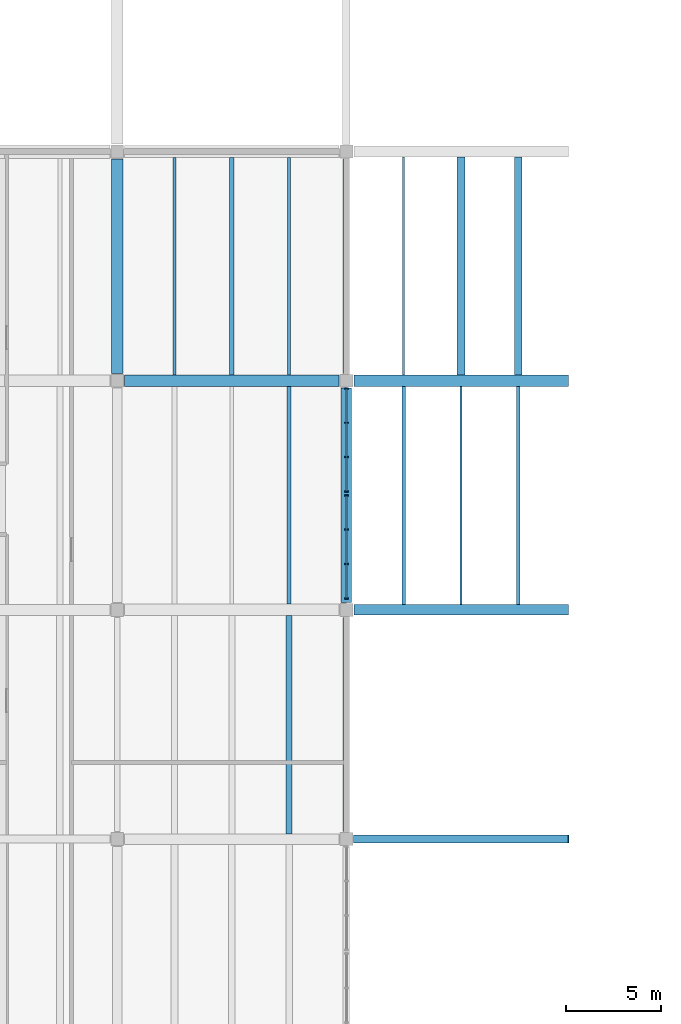
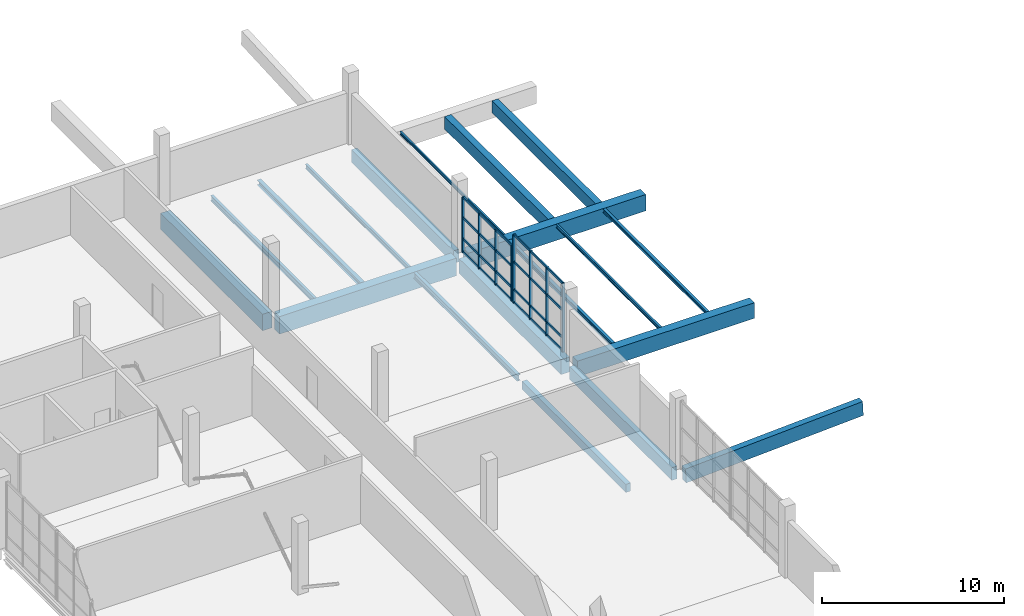
# One storey, part 15 of 49: 19 beams, 16 members, 2 elements without a shape of their own.
"""IFC4 building model written with IfcOpenShell, lengths in metres."""

from ifc_helpers import new_model, si_unit, direction, frame, origin, origin_2d, place, context, subcontext, project, spatial, rectangle, i_section, extrude, material, material_profile, profile_set, type_object, element, aggregate, save


model = new_model("IFC4")

# Units and contexts
model_context = context("Model", 3, precision=1e-05, world=origin(), true_north=direction((0.0, 1.0)))
body_context = subcontext(model_context, "Body", "Model", "MODEL_VIEW")
ifc_project = project(units=[si_unit("LENGTHUNIT", "METRE"), si_unit("AREAUNIT", "SQUARE_METRE"), si_unit("VOLUMEUNIT", "CUBIC_METRE"), si_unit("PLANEANGLEUNIT", "RADIAN"), si_unit("MASSUNIT", "GRAM", prefix="KILO")], contexts=[model_context])

# Site, building, storey
site_placement = place(None, origin())
site = spatial("IfcSite", under=ifc_project, at=site_placement, CompositionType="ELEMENT")
building_placement = place(site_placement, origin())
building = spatial("IfcBuilding", under=site, at=building_placement, Name="Kamomehara Wholesale Market", CompositionType="ELEMENT")
storey_placement = place(building_placement, frame((0.0, 0.0, 11.39990234375)))
storey = spatial("IfcBuildingStorey", under=building, at=storey_placement, Name="L02", CompositionType="ELEMENT", Elevation=11.39990234375)

# Beams
ifc_material_1 = material(Name="Precast concrete Fc45 (C40/50)", Category="concrete")
ifc_material_profile_1 = material_profile(ifc_material_1, rectangle(XDim=0.550048828125, YDim=1.050048828125, at=origin_2d()), Name="PC-GRD-550x1050")
ifc_profile_set_1 = profile_set([ifc_material_profile_1], Name="Precast concrete Fc45 (C40/50)")
beam_type_1 = type_object("IfcBeamType", Name="BM-PG1050", PredefinedType="T_BEAM", material=ifc_profile_set_1)
beam_1_placement = place(storey_placement, frame((36.389892578125, 120.0, -0.784912109375), z_axis=(1.0, 0.0, 0.0), x_axis=(0.0, 1.0, 0.0)))
element("IfcBeam", 1, at=beam_1_placement, inside=storey, type_object=beam_type_1, Name="Beam PG-08 L02", PredefinedType="T_BEAM", context=body_context, shape_type="SweptSolid", body=[
    extrude(rectangle(XDim=0.550048828125, YDim=1.050048828125, at=origin_2d()), origin(), (0.0, 0.0, 1.0), 11.25),
])
ifc_material_2 = material(Name="Precast concrete Fc45 (C40/50)", Category="concrete")
ifc_material_profile_2 = material_profile(ifc_material_2, rectangle(XDim=0.60009765625, YDim=1.10009765625, at=origin_2d()), Name="PC-GRD-600x1100")
ifc_profile_set_2 = profile_set([ifc_material_profile_2], Name="Precast concrete Fc45 (C40/50)")
beam_type_2 = type_object("IfcBeamType", Name="BM-PG1100", PredefinedType="T_BEAM", material=ifc_profile_set_2)
beam_2_placement = place(storey_placement, frame((24.0, 132.389892578125, -0.90185546875), z_axis=(0.0, 1.0, 0.0), x_axis=(-1.0, 0.0, 0.0)))
element("IfcBeam", 2, at=beam_2_placement, inside=storey, type_object=beam_type_2, Name="Beam PG-07 L02", PredefinedType="T_BEAM", context=body_context, shape_type="SweptSolid", body=[
    extrude(rectangle(XDim=0.60009765625, YDim=1.10009765625, at=origin_2d()), origin(), (0.0, 0.0, 1.0), 11.22021484375),
])
beam_3_placement = place(storey_placement, frame((36.389892578125, 132.0, -0.809814453125), z_axis=(1.0, 0.0, 0.0), x_axis=(0.0, 1.0, 0.0)))
element("IfcBeam", 3, at=beam_3_placement, inside=storey, type_object=beam_type_2, Name="Beam PG-07 L02", PredefinedType="T_BEAM", context=body_context, shape_type="SweptSolid", body=[
    extrude(rectangle(XDim=0.60009765625, YDim=1.10009765625, at=origin_2d()), origin(), (0.0, 0.0, 1.0), 11.25),
])
ifc_material_3 = material(Name="Precast concrete Fc45 (C40/50)", Category="concrete")
ifc_material_profile_3 = material_profile(ifc_material_3, rectangle(XDim=0.580078125, YDim=1.179931640625, at=origin_2d()), Name="PC-GRD-580x1180")
ifc_profile_set_3 = profile_set([ifc_material_profile_3], Name="Precast concrete Fc45 (C40/50)")
beam_type_3 = type_object("IfcBeamType", Name="BM-PG1180", PredefinedType="T_BEAM", material=ifc_profile_set_3)
beam_4_placement = place(storey_placement, frame((24.389892578125, 132.0, -0.921875), z_axis=(1.0, 0.0, 0.0), x_axis=(0.0, 1.0, 0.0)))
element("IfcBeam", 4, at=beam_4_placement, inside=storey, type_object=beam_type_3, Name="Beam PG-14 L02", PredefinedType="T_BEAM", context=body_context, shape_type="SweptSolid", body=[
    extrude(rectangle(XDim=0.580078125, YDim=1.179931640625, at=origin_2d()), origin(), (0.0, 0.0, 1.0), 11.22021484375),
])
ifc_material_4 = material(Name="Precast concrete Fc45 (C40/50)", Category="concrete")
ifc_material_profile_4 = material_profile(ifc_material_4, rectangle(XDim=0.300048828125, YDim=0.550048828125, at=origin_2d()), Name="PC-JST-300x550")
ifc_profile_set_4 = profile_set([ifc_material_profile_4], Name="Precast concrete Fc45 (C40/50)")
beam_type_4 = type_object("IfcBeamType", Name="BM-PJ550", PredefinedType="JOIST", material=ifc_profile_set_4)
beam_5_placement = place(storey_placement, frame((33.0, 108.27490234375, -0.616943359375), z_axis=(0.0, 1.0, 0.0), x_axis=(-1.0, 0.0, 0.0)))
element("IfcBeam", 5, at=beam_5_placement, inside=storey, type_object=beam_type_4, Name="Beam PJ-06 L02", PredefinedType="JOIST", context=body_context, shape_type="SweptSolid", body=[
    extrude(rectangle(XDim=0.300048828125, YDim=0.550048828125, at=origin_2d()), origin(), (0.0, 0.0, 1.0), 11.425048828125),
])
ifc_material_5 = material(Name="Precast concrete Fc45 (C40/50)", Category="concrete")
ifc_material_profile_5 = material_profile(ifc_material_5, rectangle(XDim=0.39990234375, YDim=0.800048828125, at=origin_2d()), Name="PC-JST-400x800")
ifc_profile_set_5 = profile_set([ifc_material_profile_5], Name="Precast concrete Fc45 (C40/50)")
beam_type_5 = type_object("IfcBeamType", Name="BM-PJ800", PredefinedType="JOIST", material=ifc_profile_set_5)
beam_6_placement = place(storey_placement, frame((45.0, 132.300048828125, -0.659912109375), z_axis=(0.0, 1.0, 0.0), x_axis=(-1.0, 0.0, 0.0)))
element("IfcBeam", 6, at=beam_6_placement, inside=storey, type_object=beam_type_5, Name="Beam PJ-01 L02", PredefinedType="JOIST", context=body_context, shape_type="SweptSolid", body=[
    extrude(rectangle(XDim=0.39990234375, YDim=0.800048828125, at=origin_2d()), origin(), (0.0, 0.0, 1.0), 11.409912109375),
])
ifc_material_6 = material(Name="Precast concrete Fc45 (C40/50)", Category="concrete")
ifc_material_profile_6 = material_profile(ifc_material_6, rectangle(XDim=0.419921875, YDim=0.840087890625, at=origin_2d()), Name="PC-JST-420x840")
ifc_profile_set_6 = profile_set([ifc_material_profile_6], Name="Precast concrete Fc45 (C40/50)")
beam_type_6 = type_object("IfcBeamType", Name="BM-PJ840", PredefinedType="JOIST", material=ifc_profile_set_6)
beam_7_placement = place(storey_placement, frame((42.0, 132.300048828125, -0.679931640625), z_axis=(0.0, 1.0, 0.0), x_axis=(-1.0, 0.0, 0.0)))
element("IfcBeam", 7, at=beam_7_placement, inside=storey, type_object=beam_type_6, Name="Beam PJ-07 L02", PredefinedType="JOIST", context=body_context, shape_type="SweptSolid", body=[
    extrude(rectangle(XDim=0.419921875, YDim=0.840087890625, at=origin_2d()), origin(), (0.0, 0.0, 1.0), 11.409912109375),
])
ifc_material_7 = material(Name="Concrete Fc36 (C35/45)", Category="concrete")
ifc_material_profile_7 = material_profile(ifc_material_7, rectangle(XDim=0.550048828125, YDim=1.0, at=origin_2d()), Name="RC-SEB-550x1000")
ifc_profile_set_7 = profile_set([ifc_material_profile_7], Name="Concrete Fc36 (C35/45)")
beam_type_7 = type_object("IfcBeamType", Name="BM-SEB1000-EXT", PredefinedType="SPANDREL", material=ifc_profile_set_7)
beam_8_placement = place(storey_placement, frame((36.0, 120.389892578125, -0.831787109375), z_axis=(0.0, 1.0, 0.0), x_axis=(-1.0, 0.0, 0.0)))
element("IfcBeam", 8, at=beam_8_placement, inside=storey, type_object=beam_type_7, Name="Beam SEB-03E L02", PredefinedType="SPANDREL", context=body_context, shape_type="SweptSolid", body=[
    extrude(rectangle(XDim=0.550048828125, YDim=1.0, at=origin_2d()), origin(), (0.0, 0.0, 1.0), 11.22021484375),
])
ifc_material_8 = material(Name="Precast concrete Fc45 (C40/50)", Category="concrete")
ifc_material_profile_8 = material_profile(ifc_material_8, rectangle(XDim=0.35009765625, YDim=0.85009765625, at=origin_2d()), Name="PC-SPN-350x850")
ifc_profile_set_8 = profile_set([ifc_material_profile_8], Name="Precast concrete Fc45 (C40/50)")
beam_type_8 = type_object("IfcBeamType", Name="BM-SPN850-EXT", PredefinedType="SPANDREL", material=ifc_profile_set_8)
for number, where, z_axis, x_axis, name in (
    (9, (36.0, 108.389892578125, -0.766845703125), (0.0, 1.0, 0.0), (-1.0, 0.0, 0.0), "Beam SPN-02E L02"),
    (10, (36.0, 132.389892578125, -0.7568359375), (0.0, 1.0, 0.0), (-1.0, 0.0, 0.0), "Beam SPN-02E L02"),
):
    element("IfcBeam", number, at=place(storey_placement, frame(where, z_axis=z_axis, x_axis=x_axis)), inside=storey, type_object=beam_type_8, Name=name, PredefinedType="SPANDREL", context=body_context, shape_type="SweptSolid", body=[
        extrude(rectangle(XDim=0.35009765625, YDim=0.85009765625, at=origin_2d()), origin(), (0.0, 0.0, 1.0), 11.22021484375),
    ])
ifc_material_9 = material(Name="Precast concrete Fc45 (C40/50)", Category="concrete")
ifc_material_profile_9 = material_profile(ifc_material_9, rectangle(XDim=0.39990234375, YDim=0.949951171875, at=origin_2d()), Name="PC-SPN-400x950")
ifc_profile_set_9 = profile_set([ifc_material_profile_9], Name="Precast concrete Fc45 (C40/50)")
beam_type_9 = type_object("IfcBeamType", Name="BM-SPN950-EXT", PredefinedType="SPANDREL", material=ifc_profile_set_9)
beam_9_placement = place(storey_placement, frame((36.389892578125, 108.0, -0.73388671875), z_axis=(0.998580343646, 0.0, 0.05326628656), x_axis=(0.0, 1.0, 0.0)))
element("IfcBeam", 11, at=beam_9_placement, inside=storey, type_object=beam_type_9, Name="Beam SPN-01E L02", PredefinedType="SPANDREL", context=body_context, shape_type="SweptSolid", body=[
    extrude(rectangle(XDim=0.39990234375, YDim=0.949951171875, at=origin_2d()), origin(), (0.0, 0.0, 1.0), 11.26611328125),
])
ifc_material_10 = material(Name="Steel SN400B", Category="steel")
ifc_material_profile_10 = material_profile(ifc_material_10, i_section(OverallWidth=0.10009765625, OverallDepth=0.199951171875, WebThickness=0.005615234375, FlangeThickness=0.008056640625, FilletRadius=0.008056640625, at=origin_2d()), Name="H-200x100x5.5x8")
ifc_profile_set_10 = profile_set([ifc_material_profile_10], Name="Steel SN400B")
beam_type_10 = type_object("IfcBeamType", Name="BM-ST-H200", PredefinedType="LINTEL", material=ifc_profile_set_10)
beam_10_placement = place(storey_placement, frame((39.0, 132.300048828125, -0.35986328125), z_axis=(0.0, 1.0, 0.0), x_axis=(-1.0, 0.0, 0.0)))
element("IfcBeam", 12, at=beam_10_placement, inside=storey, type_object=beam_type_10, Name="Beam SJ-07 L02", PredefinedType="LINTEL", context=body_context, shape_type="SweptSolid", body=[
    extrude(i_section(OverallWidth=0.10009765625, OverallDepth=0.199951171875, WebThickness=0.005615234375, FlangeThickness=0.008056640625, FilletRadius=0.008056640625, at=origin_2d()), origin(), (0.0, 0.0, 1.0), 11.409912109375),
])
ifc_material_11 = material(Name="Steel SN400B", Category="steel")
ifc_material_profile_11 = material_profile(ifc_material_11, i_section(OverallWidth=0.175048828125, OverallDepth=0.243896484375, WebThickness=0.007080078125, FlangeThickness=0.010986328125, FilletRadius=0.010986328125, at=origin_2d()), Name="H-244x175x7x11")
ifc_profile_set_11 = profile_set([ifc_material_profile_11], Name="Steel SN400B")
beam_type_11 = type_object("IfcBeamType", Name="BM-ST-H244", PredefinedType="JOIST", material=ifc_profile_set_11)
beam_11_placement = place(storey_placement, frame((45.0, 120.27490234375, -0.3818359375), z_axis=(0.0, 1.0, 0.0), x_axis=(-1.0, 0.0, 0.0)))
element("IfcBeam", 13, at=beam_11_placement, inside=storey, type_object=beam_type_11, Name="Beam SJ-10 L02", PredefinedType="JOIST", context=body_context, shape_type="SweptSolid", body=[
    extrude(i_section(OverallWidth=0.175048828125, OverallDepth=0.243896484375, WebThickness=0.007080078125, FlangeThickness=0.010986328125, FilletRadius=0.010986328125, at=origin_2d()), origin(), (0.0, 0.0, 1.0), 11.425048828125),
])
ifc_material_12 = material(Name="Steel SN400B", Category="steel")
ifc_material_profile_12 = material_profile(ifc_material_12, i_section(OverallWidth=0.125, OverallDepth=0.25, WebThickness=0.006103515625, FlangeThickness=0.009033203125, FilletRadius=0.008056640625, at=origin_2d()), Name="H-250x125x6x9")
ifc_profile_set_12 = profile_set([ifc_material_profile_12], Name="Steel SN400B")
beam_type_12 = type_object("IfcBeamType", Name="BM-ST-H250", PredefinedType="JOIST", material=ifc_profile_set_12)
beam_12_placement = place(storey_placement, frame((42.0, 120.27490234375, -0.385009765625), z_axis=(0.0, 1.0, 0.0), x_axis=(-1.0, 0.0, 0.0)))
element("IfcBeam", 14, at=beam_12_placement, inside=storey, type_object=beam_type_12, Name="Beam SJ-06 L02", PredefinedType="JOIST", context=body_context, shape_type="SweptSolid", body=[
    extrude(i_section(OverallWidth=0.125, OverallDepth=0.25, WebThickness=0.006103515625, FlangeThickness=0.009033203125, FilletRadius=0.008056640625, at=origin_2d()), origin(), (0.0, 0.0, 1.0), 11.425048828125),
])
ifc_material_13 = material(Name="Steel SN400B", Category="steel")
ifc_material_profile_13 = material_profile(ifc_material_13, i_section(OverallWidth=0.199951171875, OverallDepth=0.2939453125, WebThickness=0.008056640625, FlangeThickness=0.011962890625, FilletRadius=0.012939453125, at=origin_2d()), Name="H-294x200x8x12")
ifc_profile_set_13 = profile_set([ifc_material_profile_13], Name="Steel SN400B")
beam_type_13 = type_object("IfcBeamType", Name="BM-ST-H294", PredefinedType="JOIST", material=ifc_profile_set_13)
beam_13_placement = place(storey_placement, frame((39.0, 120.27490234375, -0.406982421875), z_axis=(0.0, 1.0, 0.0), x_axis=(-1.0, 0.0, 0.0)))
element("IfcBeam", 15, at=beam_13_placement, inside=storey, type_object=beam_type_13, Name="Beam SJ-09 L02", PredefinedType="JOIST", context=body_context, shape_type="SweptSolid", body=[
    extrude(i_section(OverallWidth=0.199951171875, OverallDepth=0.2939453125, WebThickness=0.008056640625, FlangeThickness=0.011962890625, FilletRadius=0.012939453125, at=origin_2d()), origin(), (0.0, 0.0, 1.0), 11.425048828125),
])
ifc_material_14 = material(Name="Steel SN400B", Category="steel")
ifc_material_profile_14 = material_profile(ifc_material_14, i_section(OverallWidth=0.14990234375, OverallDepth=0.300048828125, WebThickness=0.006591796875, FlangeThickness=0.009033203125, FilletRadius=0.012939453125, at=origin_2d()), Name="H-300x150x6.5x9")
ifc_profile_set_14 = profile_set([ifc_material_profile_14], Name="Steel SN400B")
beam_type_14 = type_object("IfcBeamType", Name="BM-ST-H300", PredefinedType="JOIST", material=ifc_profile_set_14)
beam_14_placement = place(storey_placement, frame((33.0, 132.2900390625, -0.48193359375), z_axis=(0.0, 1.0, 0.0), x_axis=(-1.0, 0.0, 0.0)))
element("IfcBeam", 16, at=beam_14_placement, inside=storey, type_object=beam_type_14, Name="Beam SJ-05 L02", PredefinedType="JOIST", context=body_context, shape_type="SweptSolid", body=[
    extrude(i_section(OverallWidth=0.14990234375, OverallDepth=0.300048828125, WebThickness=0.006591796875, FlangeThickness=0.009033203125, FilletRadius=0.012939453125, at=origin_2d()), origin(), (0.0, 0.0, 1.0), 11.39990234375),
])
ifc_material_15 = material(Name="Steel SN490B", Category="steel")
ifc_material_profile_15 = material_profile(ifc_material_15, i_section(OverallWidth=0.25, OverallDepth=0.340087890625, WebThickness=0.009033203125, FlangeThickness=0.013916015625, FilletRadius=0.012939453125, at=origin_2d()), Name="H-340x250x9x14")
ifc_profile_set_15 = profile_set([ifc_material_profile_15], Name="Steel SN490B")
beam_type_15 = type_object("IfcBeamType", Name="BM-ST-H340", PredefinedType="JOIST", material=ifc_profile_set_15)
beam_15_placement = place(storey_placement, frame((30.0, 132.2900390625, -0.501953125), z_axis=(0.0, 1.0, 0.0), x_axis=(-1.0, 0.0, 0.0)))
element("IfcBeam", 17, at=beam_15_placement, inside=storey, type_object=beam_type_15, Name="Beam SJ-08 L02", PredefinedType="JOIST", context=body_context, shape_type="SweptSolid", body=[
    extrude(i_section(OverallWidth=0.25, OverallDepth=0.340087890625, WebThickness=0.009033203125, FlangeThickness=0.013916015625, FilletRadius=0.012939453125, at=origin_2d()), origin(), (0.0, 0.0, 1.0), 11.39990234375),
])
ifc_material_16 = material(Name="Steel SN400B", Category="steel")
ifc_material_profile_16 = material_profile(ifc_material_16, i_section(OverallWidth=0.175048828125, OverallDepth=0.35009765625, WebThickness=0.007080078125, FlangeThickness=0.010986328125, FilletRadius=0.012939453125, at=origin_2d()), Name="H-350x175x7x11")
ifc_profile_set_16 = profile_set([ifc_material_profile_16], Name="Steel SN400B")
beam_type_16 = type_object("IfcBeamType", Name="BM-ST-H350", PredefinedType="JOIST", material=ifc_profile_set_16)
beam_16_placement = place(storey_placement, frame((27.0, 132.2900390625, -0.5068359375), z_axis=(0.0, 1.0, 0.0), x_axis=(-1.0, 0.0, 0.0)))
element("IfcBeam", 18, at=beam_16_placement, inside=storey, type_object=beam_type_16, Name="Beam SJ-04 L02", PredefinedType="JOIST", context=body_context, shape_type="SweptSolid", body=[
    extrude(i_section(OverallWidth=0.175048828125, OverallDepth=0.35009765625, WebThickness=0.007080078125, FlangeThickness=0.010986328125, FilletRadius=0.012939453125, at=origin_2d()), origin(), (0.0, 0.0, 1.0), 11.39990234375),
])
ifc_material_17 = material(Name="Steel SN400B", Category="steel")
ifc_material_profile_17 = material_profile(ifc_material_17, i_section(OverallWidth=0.199951171875, OverallDepth=0.39990234375, WebThickness=0.008056640625, FlangeThickness=0.012939453125, FilletRadius=0.012939453125, at=origin_2d()), Name="H-400x200x8x13")
ifc_profile_set_17 = profile_set([ifc_material_profile_17], Name="Steel SN400B")
beam_type_17 = type_object("IfcBeamType", Name="BM-ST-H400", PredefinedType="JOIST", material=ifc_profile_set_17)
beam_17_placement = place(storey_placement, frame((33.0, 120.300048828125, -0.531982421875), z_axis=(0.0, 1.0, 0.0), x_axis=(-1.0, 0.0, 0.0)))
element("IfcBeam", 19, at=beam_17_placement, inside=storey, type_object=beam_type_17, Name="Beam SJ-02 L02", PredefinedType="JOIST", context=body_context, shape_type="SweptSolid", body=[
    extrude(i_section(OverallWidth=0.199951171875, OverallDepth=0.39990234375, WebThickness=0.008056640625, FlangeThickness=0.012939453125, FilletRadius=0.012939453125, at=origin_2d()), origin(), (0.0, 0.0, 1.0), 11.409912109375),
])

# Curtain wall, members
ifc_material_18 = material(Name="Anodised aluminium 6063-T5", Category="aluminium")
curtain_wall_type = type_object("IfcCurtainWallType", Name="CW-UN-07", PredefinedType="NOTDEFINED", material=ifc_material_18)
curtain_wall_1_placement = place(storey_placement, origin())
curtain_wall_1 = element("IfcCurtainWall", 20, at=curtain_wall_1_placement, inside=storey, type_object=curtain_wall_type, Name="Unitised curtain wall CW-013", PredefinedType="NOTDEFINED")
ifc_material_19 = material(Name="Anodised aluminium 6063-T5", Category="aluminium")
ifc_material_profile_18 = material_profile(ifc_material_19, rectangle(XDim=0.074951171875, YDim=0.179931640625, at=origin_2d()), Name="ALU-MUL-75x180")
ifc_profile_set_18 = profile_set([ifc_material_profile_18], Name="Anodised aluminium 6063-T5")
member_type_1 = type_object("IfcMemberType", Name="CW-MUL-180", PredefinedType="MULLION", material=ifc_profile_set_18)
member_1_placement = place(storey_placement, frame((36.0, 131.60009765625, 0.0), z_axis=(0.0, 0.0, 1.0), x_axis=(0.0, -1.0, 0.0)))
member_1 = element("IfcMember", 21, at=member_1_placement, type_object=member_type_1, Name="Mullion CW-013.0", PredefinedType="MULLION", context=body_context, shape_type="SweptSolid", body=[
    extrude(rectangle(XDim=0.074951171875, YDim=0.179931640625, at=origin_2d()), origin(), (0.0, 0.0, 1.0), 3.72998046875),
])
member_2_placement = place(storey_placement, frame((36.0, 129.800048828125, 0.0), z_axis=(0.0, 0.0, 1.0), x_axis=(0.0, -1.0, 0.0)))
member_2 = element("IfcMember", 22, at=member_2_placement, type_object=member_type_1, Name="Mullion CW-013.1", PredefinedType="MULLION", context=body_context, shape_type="SweptSolid", body=[
    extrude(rectangle(XDim=0.074951171875, YDim=0.179931640625, at=origin_2d()), origin(), (0.0, 0.0, 1.0), 3.72998046875),
])
member_3_placement = place(storey_placement, frame((36.0, 128.0, 0.0), z_axis=(0.0, 0.0, 1.0), x_axis=(0.0, -1.0, 0.0)))
member_3 = element("IfcMember", 23, at=member_3_placement, type_object=member_type_1, Name="Mullion CW-013.2", PredefinedType="MULLION", context=body_context, shape_type="SweptSolid", body=[
    extrude(rectangle(XDim=0.074951171875, YDim=0.179931640625, at=origin_2d()), origin(), (0.0, 0.0, 1.0), 3.72998046875),
])
member_4_placement = place(storey_placement, frame((36.0, 126.199951171875, 0.0), z_axis=(0.0, 0.0, 1.0), x_axis=(0.0, -1.0, 0.0)))
member_4 = element("IfcMember", 24, at=member_4_placement, type_object=member_type_1, Name="Mullion CW-013.3", PredefinedType="MULLION", context=body_context, shape_type="SweptSolid", body=[
    extrude(rectangle(XDim=0.074951171875, YDim=0.179931640625, at=origin_2d()), origin(), (0.0, 0.0, 1.0), 3.72998046875),
])

curtain_wall_2_placement = place(storey_placement, origin())
curtain_wall_2 = element("IfcCurtainWall", 25, at=curtain_wall_2_placement, inside=storey, type_object=curtain_wall_type, Name="Unitised curtain wall CW-014", PredefinedType="NOTDEFINED")
member_5_placement = place(storey_placement, frame((36.0, 126.0, 0.0), z_axis=(0.0, 0.0, 1.0), x_axis=(0.0, -1.0, 0.0)))
member_5 = element("IfcMember", 26, at=member_5_placement, type_object=member_type_1, Name="Mullion CW-014.0", PredefinedType="MULLION", context=body_context, shape_type="SweptSolid", body=[
    extrude(rectangle(XDim=0.074951171875, YDim=0.179931640625, at=origin_2d()), origin(), (0.0, 0.0, 1.0), 4.60009765625),
])
member_6_placement = place(storey_placement, frame((36.0, 124.199951171875, 0.0), z_axis=(0.0, 0.0, 1.0), x_axis=(0.0, -1.0, 0.0)))
member_6 = element("IfcMember", 27, at=member_6_placement, type_object=member_type_1, Name="Mullion CW-014.1", PredefinedType="MULLION", context=body_context, shape_type="SweptSolid", body=[
    extrude(rectangle(XDim=0.074951171875, YDim=0.179931640625, at=origin_2d()), origin(), (0.0, 0.0, 1.0), 4.60009765625),
])
member_7_placement = place(storey_placement, frame((36.0, 122.39990234375, 0.0), z_axis=(0.0, 0.0, 1.0), x_axis=(0.0, -1.0, 0.0)))
member_7 = element("IfcMember", 28, at=member_7_placement, type_object=member_type_1, Name="Mullion CW-014.2", PredefinedType="MULLION", context=body_context, shape_type="SweptSolid", body=[
    extrude(rectangle(XDim=0.074951171875, YDim=0.179931640625, at=origin_2d()), origin(), (0.0, 0.0, 1.0), 4.60009765625),
])
member_8_placement = place(storey_placement, frame((36.0, 120.60009765625, 0.0), z_axis=(0.0, 0.0, 1.0), x_axis=(0.0, -1.0, 0.0)))
member_8 = element("IfcMember", 29, at=member_8_placement, type_object=member_type_1, Name="Mullion CW-014.3", PredefinedType="MULLION", context=body_context, shape_type="SweptSolid", body=[
    extrude(rectangle(XDim=0.074951171875, YDim=0.179931640625, at=origin_2d()), origin(), (0.0, 0.0, 1.0), 4.60009765625),
])

# Member
ifc_material_20 = material(Name="Anodised aluminium 6063-T5", Category="aluminium")
ifc_material_profile_19 = material_profile(ifc_material_20, rectangle(XDim=0.074951171875, YDim=0.14990234375, at=origin_2d()), Name="ALU-TRN-75x150")
ifc_profile_set_19 = profile_set([ifc_material_profile_19], Name="Anodised aluminium 6063-T5")
member_type_2 = type_object("IfcMemberType", Name="CW-TRN-150", PredefinedType="USERDEFINED", material=ifc_profile_set_19)
member_9_placement = place(storey_placement, frame((36.0, 131.60009765625, 0.0400390625), z_axis=(0.0, -1.0, 0.0), x_axis=(1.0, 0.0, 0.0)))
member_9 = element("IfcMember", 30, at=member_9_placement, type_object=member_type_2, Name="Transom CW-013.0", ObjectType="TRANSOM", PredefinedType="USERDEFINED", context=body_context, shape_type="SweptSolid", body=[
    extrude(rectangle(XDim=0.074951171875, YDim=0.14990234375, at=origin_2d()), origin(), (0.0, 0.0, 1.0), 5.400146484375),
])

member_10_placement = place(storey_placement, frame((36.0, 131.60009765625, 0.900146484375), z_axis=(0.0, -1.0, 0.0), x_axis=(1.0, 0.0, 0.0)))
member_10 = element("IfcMember", 31, at=member_10_placement, type_object=member_type_2, Name="Transom CW-013.1", ObjectType="TRANSOM", PredefinedType="USERDEFINED", context=body_context, shape_type="SweptSolid", body=[
    extrude(rectangle(XDim=0.074951171875, YDim=0.14990234375, at=origin_2d()), origin(), (0.0, 0.0, 1.0), 5.400146484375),
])

member_11_placement = place(storey_placement, frame((36.0, 131.60009765625, 2.315185546875), z_axis=(0.0, -1.0, 0.0), x_axis=(1.0, 0.0, 0.0)))
member_11 = element("IfcMember", 32, at=member_11_placement, type_object=member_type_2, Name="Transom CW-013.2", ObjectType="TRANSOM", PredefinedType="USERDEFINED", context=body_context, shape_type="SweptSolid", body=[
    extrude(rectangle(XDim=0.074951171875, YDim=0.14990234375, at=origin_2d()), origin(), (0.0, 0.0, 1.0), 5.400146484375),
])

member_12_placement = place(storey_placement, frame((36.0, 131.60009765625, 3.690185546875), z_axis=(0.0, -1.0, 0.0), x_axis=(1.0, 0.0, 0.0)))
member_12 = element("IfcMember", 33, at=member_12_placement, type_object=member_type_2, Name="Transom CW-013.3", ObjectType="TRANSOM", PredefinedType="USERDEFINED", context=body_context, shape_type="SweptSolid", body=[
    extrude(rectangle(XDim=0.074951171875, YDim=0.14990234375, at=origin_2d()), origin(), (0.0, 0.0, 1.0), 5.400146484375),
])

aggregate(curtain_wall_1, [member_1, member_2, member_3, member_4, member_9, member_10, member_11, member_12])

member_13_placement = place(storey_placement, frame((36.0, 126.0, 0.0400390625), z_axis=(0.0, -1.0, 0.0), x_axis=(1.0, 0.0, 0.0)))
member_13 = element("IfcMember", 34, at=member_13_placement, type_object=member_type_2, Name="Transom CW-014.0", ObjectType="TRANSOM", PredefinedType="USERDEFINED", context=body_context, shape_type="SweptSolid", body=[
    extrude(rectangle(XDim=0.074951171875, YDim=0.14990234375, at=origin_2d()), origin(), (0.0, 0.0, 1.0), 5.39990234375),
])

member_14_placement = place(storey_placement, frame((36.0, 126.0, 0.900146484375), z_axis=(0.0, -1.0, 0.0), x_axis=(1.0, 0.0, 0.0)))
member_14 = element("IfcMember", 35, at=member_14_placement, type_object=member_type_2, Name="Transom CW-014.1", ObjectType="TRANSOM", PredefinedType="USERDEFINED", context=body_context, shape_type="SweptSolid", body=[
    extrude(rectangle(XDim=0.074951171875, YDim=0.14990234375, at=origin_2d()), origin(), (0.0, 0.0, 1.0), 5.39990234375),
])

member_15_placement = place(storey_placement, frame((36.0, 126.0, 2.75), z_axis=(0.0, -1.0, 0.0), x_axis=(1.0, 0.0, 0.0)))
member_15 = element("IfcMember", 36, at=member_15_placement, type_object=member_type_2, Name="Transom CW-014.2", ObjectType="TRANSOM", PredefinedType="USERDEFINED", context=body_context, shape_type="SweptSolid", body=[
    extrude(rectangle(XDim=0.074951171875, YDim=0.14990234375, at=origin_2d()), origin(), (0.0, 0.0, 1.0), 5.39990234375),
])

member_16_placement = place(storey_placement, frame((36.0, 126.0, 4.56005859375), z_axis=(0.0, -1.0, 0.0), x_axis=(1.0, 0.0, 0.0)))
member_16 = element("IfcMember", 37, at=member_16_placement, type_object=member_type_2, Name="Transom CW-014.3", ObjectType="TRANSOM", PredefinedType="USERDEFINED", context=body_context, shape_type="SweptSolid", body=[
    extrude(rectangle(XDim=0.074951171875, YDim=0.14990234375, at=origin_2d()), origin(), (0.0, 0.0, 1.0), 5.39990234375),
])

aggregate(curtain_wall_2, [member_5, member_6, member_7, member_8, member_13, member_14, member_15, member_16])

save(model, "model.ifc")
